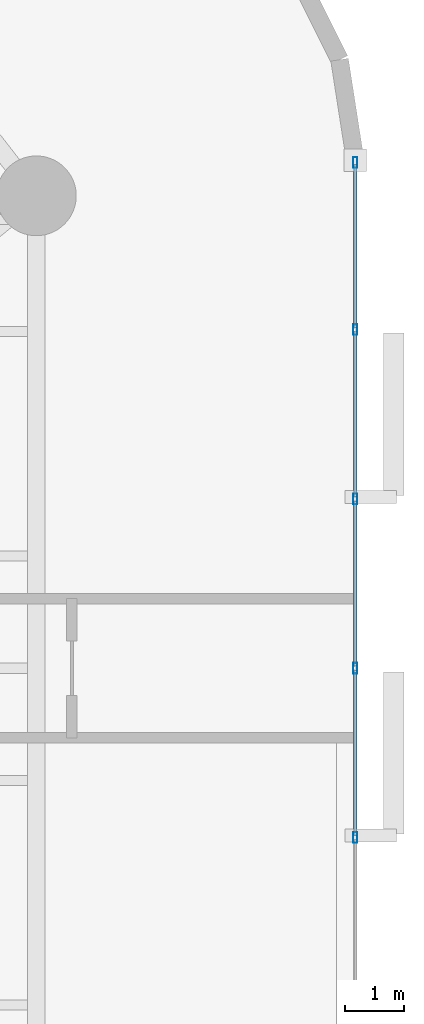
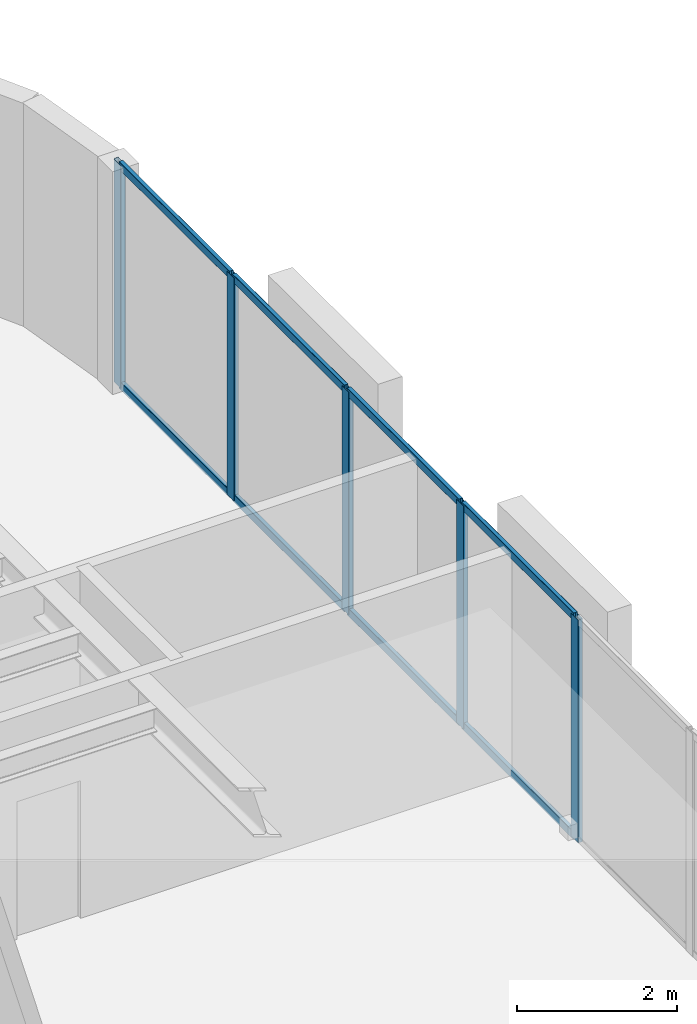
# One storey, part 6 of 16: 13 members, 1 element without a shape of its own.
"""IFC4 building model written with IfcOpenShell, lengths in metres."""

from ifc_helpers import new_model, si_unit, direction, frame, origin, origin_2d, place, context, subcontext, project, spatial, hollow_rectangle, extrude, material, layer, layer_set, material_profile, profile_set, type_object, element, aggregate, save


model = new_model("IFC4")

# Units and contexts
model_context = context("Model", 3, precision=1e-05, world=origin(), true_north=direction((0.0, 1.0)))
body_context = subcontext(model_context, "Body", "Model", "MODEL_VIEW")
ifc_project = project(units=[si_unit("LENGTHUNIT", "METRE"), si_unit("AREAUNIT", "SQUARE_METRE"), si_unit("VOLUMEUNIT", "CUBIC_METRE"), si_unit("PLANEANGLEUNIT", "RADIAN"), si_unit("MASSUNIT", "GRAM", prefix="KILO")], contexts=[model_context])

# Site, building, storey
site_placement = place(None, origin())
site = spatial("IfcSite", under=ifc_project, at=site_placement, CompositionType="ELEMENT")
building_placement = place(site_placement, origin())
building = spatial("IfcBuilding", under=site, at=building_placement, Name="An Khanh Terracotta Commons", CompositionType="ELEMENT")
storey_placement = place(building_placement, frame((0.0, 0.0, 111.5)))
storey = spatial("IfcBuildingStorey", under=building, at=storey_placement, Name="L29", CompositionType="ELEMENT", Elevation=111.5)

# Curtain wall, members
ifc_material = material(Name="Anodised Aluminium 6063-T6", Category="aluminium")
ifc_layer = layer(ifc_material, 0.199951171875, Name="Anodised Aluminium 6063-T6")
ifc_layer_set = layer_set([ifc_layer], Name="Anodised Aluminium 6063-T6")
curtain_wall_type = type_object("IfcCurtainWallType", Name="CW-SYS-02", PredefinedType="USERDEFINED", material=ifc_layer_set)
curtain_wall_placement = place(storey_placement, origin())
curtain_wall = element("IfcCurtainWall", 1, at=curtain_wall_placement, inside=storey, type_object=curtain_wall_type, Name="L29 CW-02 Unitised Curtain Wall CW-L29-12", ObjectType="UNITISED CURTAIN WALL", PredefinedType="USERDEFINED")
ifc_material_profile_1 = material_profile(ifc_material, hollow_rectangle(XDim=0.070068359375, YDim=0.179931640625, WallThickness=0.00390625, InnerFilletRadius=0.00390625, OuterFilletRadius=0.008056640625, at=origin_2d()), Name="RHS180x70x4")
ifc_profile_set_1 = profile_set([ifc_material_profile_1], Name="Anodised Aluminium 6063-T6")
member_type_1 = type_object("IfcMemberType", Name="CWM-RHS180x70x4", PredefinedType="MULLION", material=ifc_profile_set_1)
member_1_placement = place(storey_placement, frame((57.39990234375, 21.13330078125, 0.0), z_axis=(0.0, 0.0, 1.0), x_axis=(-1.0, 0.0, 0.0)))
member_1 = element("IfcMember", 2, at=member_1_placement, type_object=member_type_1, Name="CW-02 mullion 3", PredefinedType="MULLION", context=body_context, shape_type="SweptSolid", body=[
    extrude(hollow_rectangle(XDim=0.070068359375, YDim=0.179931640625, WallThickness=0.00390625, InnerFilletRadius=0.00390625, OuterFilletRadius=0.008056640625, at=origin_2d()), origin(), (0.0, 0.0, 1.0), 3.39990234375),
])
member_2_placement = place(storey_placement, frame((57.39990234375, 24.0, 0.0), z_axis=(0.0, 0.0, 1.0), x_axis=(-1.0, 0.0, 0.0)))
member_2 = element("IfcMember", 3, at=member_2_placement, type_object=member_type_1, Name="CW-02 mullion 4", PredefinedType="MULLION", context=body_context, shape_type="SweptSolid", body=[
    extrude(hollow_rectangle(XDim=0.070068359375, YDim=0.179931640625, WallThickness=0.00390625, InnerFilletRadius=0.00390625, OuterFilletRadius=0.008056640625, at=origin_2d()), origin(), (0.0, 0.0, 1.0), 3.39990234375),
])
member_3_placement = place(storey_placement, frame((57.39990234375, 26.86669921875, 0.0), z_axis=(0.0, 0.0, 1.0), x_axis=(-1.0, 0.0, 0.0)))
member_3 = element("IfcMember", 4, at=member_3_placement, type_object=member_type_1, Name="CW-02 mullion 5", PredefinedType="MULLION", context=body_context, shape_type="SweptSolid", body=[
    extrude(hollow_rectangle(XDim=0.070068359375, YDim=0.179931640625, WallThickness=0.00390625, InnerFilletRadius=0.00390625, OuterFilletRadius=0.008056640625, at=origin_2d()), origin(), (0.0, 0.0, 1.0), 3.39990234375),
])
member_4_placement = place(storey_placement, frame((57.39990234375, 29.7333984375, 0.0), z_axis=(0.0, 0.0, 1.0), x_axis=(-1.0, 0.0, 0.0)))
member_4 = element("IfcMember", 5, at=member_4_placement, type_object=member_type_1, Name="CW-02 mullion 6", PredefinedType="MULLION", context=body_context, shape_type="SweptSolid", body=[
    extrude(hollow_rectangle(XDim=0.070068359375, YDim=0.179931640625, WallThickness=0.00390625, InnerFilletRadius=0.00390625, OuterFilletRadius=0.008056640625, at=origin_2d()), origin(), (0.0, 0.0, 1.0), 3.39990234375),
])
member_5_placement = place(storey_placement, frame((57.39990234375, 32.56494140625, 0.0), z_axis=(0.0, 0.0, 1.0), x_axis=(-1.0, 0.0, 0.0)))
member_5 = element("IfcMember", 6, at=member_5_placement, type_object=member_type_1, Name="CW-02 mullion 7", PredefinedType="MULLION", context=body_context, shape_type="SweptSolid", body=[
    extrude(hollow_rectangle(XDim=0.070068359375, YDim=0.179931640625, WallThickness=0.00390625, InnerFilletRadius=0.00390625, OuterFilletRadius=0.008056640625, at=origin_2d()), origin(), (0.0, 0.0, 1.0), 3.39990234375),
])
ifc_material_profile_2 = material_profile(ifc_material, hollow_rectangle(XDim=0.06005859375, YDim=0.1201171875, WallThickness=0.003662109375, InnerFilletRadius=0.003662109375, OuterFilletRadius=0.007080078125, at=origin_2d()), Name="RHS120x60x3.6")
ifc_profile_set_2 = profile_set([ifc_material_profile_2], Name="Anodised Aluminium 6063-T6")
member_type_2 = type_object("IfcMemberType", Name="CWT-RHS120x60x3.6", PredefinedType="USERDEFINED", material=ifc_profile_set_2)
member_6_placement = place(storey_placement, frame((57.39990234375, 21.168212890625, 0.030029296875), z_axis=(0.0, 1.0, 0.0), x_axis=(-1.0, 0.0, 0.0)))
member_6 = element("IfcMember", 7, at=member_6_placement, type_object=member_type_2, Name="CW-02 transom 3.1", ObjectType="TRANSOM", PredefinedType="USERDEFINED", context=body_context, shape_type="SweptSolid", body=[
    extrude(hollow_rectangle(XDim=0.06005859375, YDim=0.1201171875, WallThickness=0.003662109375, InnerFilletRadius=0.003662109375, OuterFilletRadius=0.007080078125, at=origin_2d()), origin(), (0.0, 0.0, 1.0), 2.796875),
])
member_7_placement = place(storey_placement, frame((57.39990234375, 21.168212890625, 3.3701171875), z_axis=(0.0, 1.0, 0.0), x_axis=(-1.0, 0.0, 0.0)))
member_7 = element("IfcMember", 8, at=member_7_placement, type_object=member_type_2, Name="CW-02 transom 3.2", ObjectType="TRANSOM", PredefinedType="USERDEFINED", context=body_context, shape_type="SweptSolid", body=[
    extrude(hollow_rectangle(XDim=0.06005859375, YDim=0.1201171875, WallThickness=0.003662109375, InnerFilletRadius=0.003662109375, OuterFilletRadius=0.007080078125, at=origin_2d()), origin(), (0.0, 0.0, 1.0), 2.796875),
])
member_8_placement = place(storey_placement, frame((57.39990234375, 24.034912109375, 0.030029296875), z_axis=(0.0, 1.0, 0.0), x_axis=(-1.0, 0.0, 0.0)))
member_8 = element("IfcMember", 9, at=member_8_placement, type_object=member_type_2, Name="CW-02 transom 4.1", ObjectType="TRANSOM", PredefinedType="USERDEFINED", context=body_context, shape_type="SweptSolid", body=[
    extrude(hollow_rectangle(XDim=0.06005859375, YDim=0.1201171875, WallThickness=0.003662109375, InnerFilletRadius=0.003662109375, OuterFilletRadius=0.007080078125, at=origin_2d()), origin(), (0.0, 0.0, 1.0), 2.796875),
])
member_9_placement = place(storey_placement, frame((57.39990234375, 24.034912109375, 3.3701171875), z_axis=(0.0, 1.0, 0.0), x_axis=(-1.0, 0.0, 0.0)))
member_9 = element("IfcMember", 10, at=member_9_placement, type_object=member_type_2, Name="CW-02 transom 4.2", ObjectType="TRANSOM", PredefinedType="USERDEFINED", context=body_context, shape_type="SweptSolid", body=[
    extrude(hollow_rectangle(XDim=0.06005859375, YDim=0.1201171875, WallThickness=0.003662109375, InnerFilletRadius=0.003662109375, OuterFilletRadius=0.007080078125, at=origin_2d()), origin(), (0.0, 0.0, 1.0), 2.796875),
])
member_10_placement = place(storey_placement, frame((57.39990234375, 26.901611328125, 0.030029296875), z_axis=(0.0, 1.0, 0.0), x_axis=(-1.0, 0.0, 0.0)))
member_10 = element("IfcMember", 11, at=member_10_placement, type_object=member_type_2, Name="CW-02 transom 5.1", ObjectType="TRANSOM", PredefinedType="USERDEFINED", context=body_context, shape_type="SweptSolid", body=[
    extrude(hollow_rectangle(XDim=0.06005859375, YDim=0.1201171875, WallThickness=0.003662109375, InnerFilletRadius=0.003662109375, OuterFilletRadius=0.007080078125, at=origin_2d()), origin(), (0.0, 0.0, 1.0), 2.796630859375),
])
member_11_placement = place(storey_placement, frame((57.39990234375, 26.901611328125, 3.3701171875), z_axis=(0.0, 1.0, 0.0), x_axis=(-1.0, 0.0, 0.0)))
member_11 = element("IfcMember", 12, at=member_11_placement, type_object=member_type_2, Name="CW-02 transom 5.2", ObjectType="TRANSOM", PredefinedType="USERDEFINED", context=body_context, shape_type="SweptSolid", body=[
    extrude(hollow_rectangle(XDim=0.06005859375, YDim=0.1201171875, WallThickness=0.003662109375, InnerFilletRadius=0.003662109375, OuterFilletRadius=0.007080078125, at=origin_2d()), origin(), (0.0, 0.0, 1.0), 2.796630859375),
])
member_12_placement = place(storey_placement, frame((57.39990234375, 29.768310546875, 0.030029296875), z_axis=(0.0, 1.0, 0.0), x_axis=(-1.0, 0.0, 0.0)))
member_12 = element("IfcMember", 13, at=member_12_placement, type_object=member_type_2, Name="CW-02 transom 6.1", ObjectType="TRANSOM", PredefinedType="USERDEFINED", context=body_context, shape_type="SweptSolid", body=[
    extrude(hollow_rectangle(XDim=0.06005859375, YDim=0.1201171875, WallThickness=0.003662109375, InnerFilletRadius=0.003662109375, OuterFilletRadius=0.007080078125, at=origin_2d()), origin(), (0.0, 0.0, 1.0), 2.76171875),
])
member_13_placement = place(storey_placement, frame((57.39990234375, 29.768310546875, 3.3701171875), z_axis=(0.0, 1.0, 0.0), x_axis=(-1.0, 0.0, 0.0)))
member_13 = element("IfcMember", 14, at=member_13_placement, type_object=member_type_2, Name="CW-02 transom 6.2", ObjectType="TRANSOM", PredefinedType="USERDEFINED", context=body_context, shape_type="SweptSolid", body=[
    extrude(hollow_rectangle(XDim=0.06005859375, YDim=0.1201171875, WallThickness=0.003662109375, InnerFilletRadius=0.003662109375, OuterFilletRadius=0.007080078125, at=origin_2d()), origin(), (0.0, 0.0, 1.0), 2.76171875),
])
aggregate(curtain_wall, [member_1, member_2, member_3, member_4, member_5, member_6, member_7, member_8, member_9, member_10, member_11, member_12, member_13])

save(model, "model.ifc")
